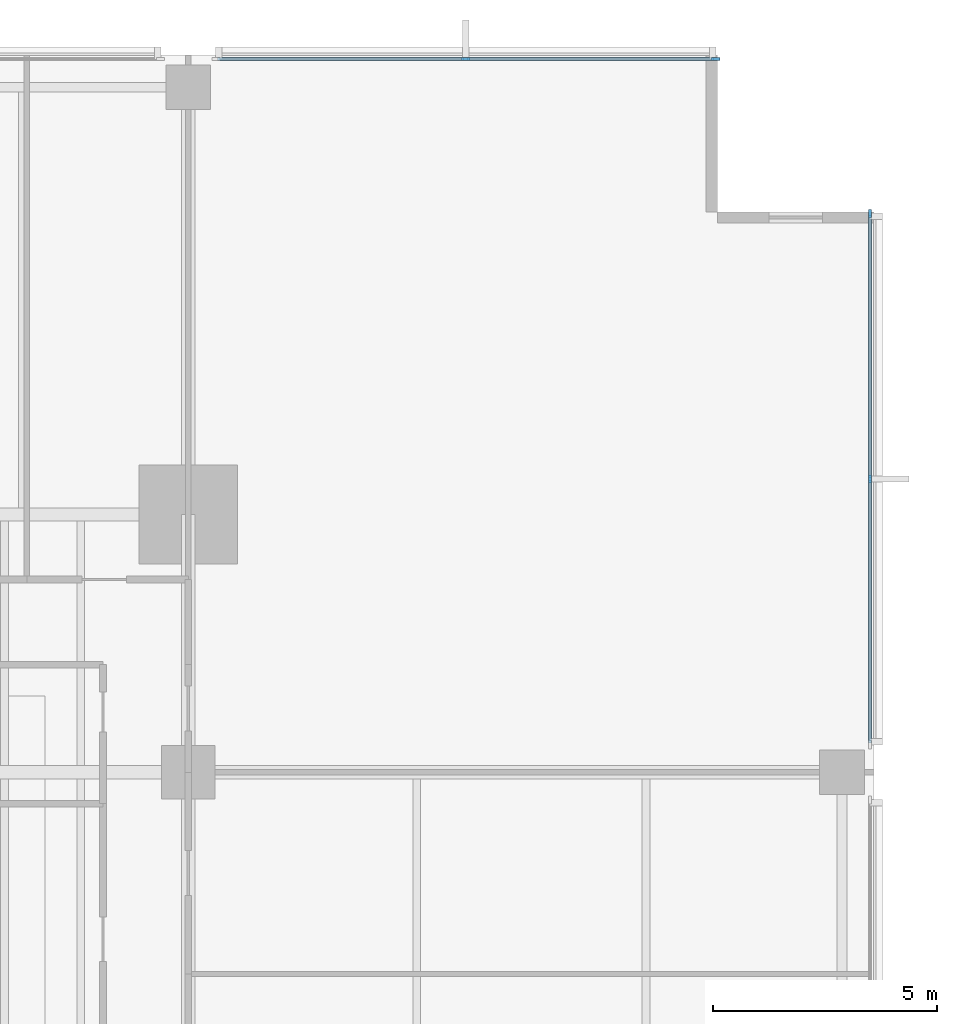
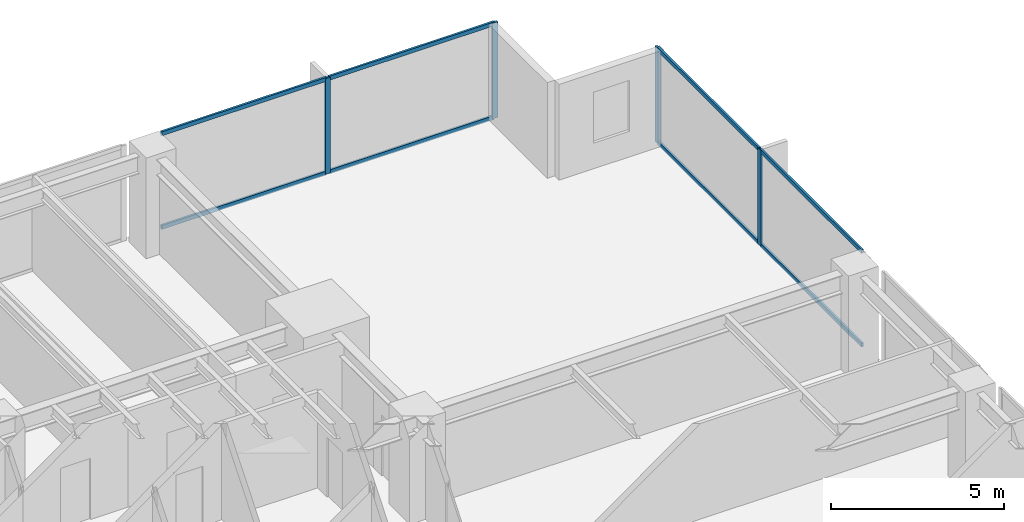
# One storey, part 6 of 15: 12 members, 2 elements without a shape of their own.
"""IFC4 building model written with IfcOpenShell, lengths in metres."""

from ifc_helpers import new_model, si_unit, direction, frame, origin, origin_2d, place, context, subcontext, project, spatial, rectangle, extrude, material, layer, layer_set, material_profile, profile_set, type_object, element, aggregate, save


model = new_model("IFC4")

# Units and contexts
model_context = context("Model", 3, precision=1e-05, world=origin(), true_north=direction((0.0, 1.0)))
body_context = subcontext(model_context, "Body", "Model", "MODEL_VIEW")
ifc_project = project(units=[si_unit("LENGTHUNIT", "METRE"), si_unit("AREAUNIT", "SQUARE_METRE"), si_unit("VOLUMEUNIT", "CUBIC_METRE"), si_unit("PLANEANGLEUNIT", "RADIAN"), si_unit("MASSUNIT", "GRAM", prefix="KILO")], contexts=[model_context])

# Site, building, storey
site_placement = place(None, origin())
site = spatial("IfcSite", under=ifc_project, at=site_placement, CompositionType="ELEMENT")
building_placement = place(site_placement, origin())
building = spatial("IfcBuilding", under=site, at=building_placement, Name="Kinhvarn Gate Tower", CompositionType="ELEMENT")
storey_placement = place(building_placement, frame((0.0, 0.0, 78.85009765625)))
storey = spatial("IfcBuildingStorey", under=building, at=storey_placement, Name="L20", CompositionType="ELEMENT", Elevation=78.85009765625)

# Curtain wall, members
ifc_material = material(Name="Anodised aluminium AW-6063", Category="aluminium")
ifc_layer = layer(ifc_material, 0.179931640625)
ifc_layer_set = layer_set([ifc_layer], Name="Anodised aluminium AW-6063")
curtain_wall_type = type_object("IfcCurtainWallType", Name="CW-SYS-2", PredefinedType="NOTDEFINED", material=ifc_layer_set)
curtain_wall_1_placement = place(storey_placement, origin())
curtain_wall_1 = element("IfcCurtainWall", 1, at=curtain_wall_1_placement, inside=storey, type_object=curtain_wall_type, Name="Curtain Wall CW2 (L20)", PredefinedType="NOTDEFINED")
ifc_material_profile_1 = material_profile(ifc_material, rectangle(XDim=0.070068359375, YDim=0.179931640625, at=origin_2d()), Name="ALU 70x180")
ifc_profile_set_1 = profile_set([ifc_material_profile_1], Name="Anodised aluminium AW-6063")
member_type_1 = type_object("IfcMemberType", Name="CW-MUL-180", PredefinedType="MULLION", material=ifc_profile_set_1)
member_1_placement = place(storey_placement, frame((49.965087890625, 47.909912109375, 0.0), z_axis=(0.0, 0.0, 1.0), x_axis=(0.0, -1.0, 0.0)))
member_1 = element("IfcMember", 2, at=member_1_placement, type_object=member_type_1, Name="CW2 mullion 1", PredefinedType="MULLION", context=body_context, shape_type="SweptSolid", body=[
    extrude(rectangle(XDim=0.070068359375, YDim=0.179931640625, at=origin_2d()), origin(), (0.0, 0.0, 1.0), 3.369873046875),
])
member_2_placement = place(storey_placement, frame((44.389892578125, 47.909912109375, 0.0), z_axis=(0.0, 0.0, 1.0), x_axis=(0.0, -1.0, 0.0)))
member_2 = element("IfcMember", 3, at=member_2_placement, type_object=member_type_1, Name="CW2 mullion 2", PredefinedType="MULLION", context=body_context, shape_type="SweptSolid", body=[
    extrude(rectangle(XDim=0.070068359375, YDim=0.179931640625, at=origin_2d()), origin(), (0.0, 0.0, 1.0), 3.369873046875),
])

curtain_wall_2_placement = place(storey_placement, origin())
curtain_wall_2 = element("IfcCurtainWall", 4, at=curtain_wall_2_placement, inside=storey, type_object=curtain_wall_type, Name="Curtain Wall CW2 (L20)", PredefinedType="NOTDEFINED")
member_3_placement = place(storey_placement, frame((53.409912109375, 38.5400390625, 0.0), z_axis=(0.0, 0.0, 1.0), x_axis=(-1.0, 0.0, 0.0)))
member_3 = element("IfcMember", 5, at=member_3_placement, type_object=member_type_1, Name="CW2 mullion 2", PredefinedType="MULLION", context=body_context, shape_type="SweptSolid", body=[
    extrude(rectangle(XDim=0.070068359375, YDim=0.179931640625, at=origin_2d()), origin(), (0.0, 0.0, 1.0), 3.369873046875),
])
member_4_placement = place(storey_placement, frame((53.409912109375, 44.465087890625, 0.0), z_axis=(0.0, 0.0, 1.0), x_axis=(-1.0, 0.0, 0.0)))
member_4 = element("IfcMember", 6, at=member_4_placement, type_object=member_type_1, Name="CW2 mullion 3", PredefinedType="MULLION", context=body_context, shape_type="SweptSolid", body=[
    extrude(rectangle(XDim=0.070068359375, YDim=0.179931640625, at=origin_2d()), origin(), (0.0, 0.0, 1.0), 3.369873046875),
])

# Member
ifc_material_profile_2 = material_profile(ifc_material, rectangle(XDim=0.070068359375, YDim=0.139892578125, at=origin_2d()), Name="ALU 70x140")
ifc_profile_set_2 = profile_set([ifc_material_profile_2], Name="Anodised aluminium AW-6063")
member_type_2 = type_object("IfcMemberType", Name="CW-TRN-140", PredefinedType="USERDEFINED", material=ifc_profile_set_2)
member_5_placement = place(storey_placement, frame((49.929931640625, 47.909912109375, 0.034912109375), z_axis=(-1.0, 0.0, 0.0), x_axis=(0.0, -1.0, 0.0)))
member_5 = element("IfcMember", 7, at=member_5_placement, type_object=member_type_2, Name="CW2 transom 1.1", ObjectType="TRANSOM", PredefinedType="USERDEFINED", context=body_context, shape_type="SweptSolid", body=[
    extrude(rectangle(XDim=0.070068359375, YDim=0.139892578125, at=origin_2d()), origin(), (0.0, 0.0, 1.0), 5.5048828125),
])

member_6_placement = place(storey_placement, frame((49.929931640625, 47.909912109375, 3.3349609375), z_axis=(-1.0, 0.0, 0.0), x_axis=(0.0, -1.0, 0.0)))
member_6 = element("IfcMember", 8, at=member_6_placement, type_object=member_type_2, Name="CW2 transom 1.2", ObjectType="TRANSOM", PredefinedType="USERDEFINED", context=body_context, shape_type="SweptSolid", body=[
    extrude(rectangle(XDim=0.070068359375, YDim=0.139892578125, at=origin_2d()), origin(), (0.0, 0.0, 1.0), 5.5048828125),
])

member_7_placement = place(storey_placement, frame((44.35498046875, 47.909912109375, 0.034912109375), z_axis=(-1.0, 0.0, 0.0), x_axis=(0.0, -1.0, 0.0)))
member_7 = element("IfcMember", 9, at=member_7_placement, type_object=member_type_2, Name="CW2 transom 2.1", ObjectType="TRANSOM", PredefinedType="USERDEFINED", context=body_context, shape_type="SweptSolid", body=[
    extrude(rectangle(XDim=0.070068359375, YDim=0.139892578125, at=origin_2d()), origin(), (0.0, 0.0, 1.0), 5.5048828125),
])

member_8_placement = place(storey_placement, frame((44.35498046875, 47.909912109375, 3.3349609375), z_axis=(-1.0, 0.0, 0.0), x_axis=(0.0, -1.0, 0.0)))
member_8 = element("IfcMember", 10, at=member_8_placement, type_object=member_type_2, Name="CW2 transom 2.2", ObjectType="TRANSOM", PredefinedType="USERDEFINED", context=body_context, shape_type="SweptSolid", body=[
    extrude(rectangle(XDim=0.070068359375, YDim=0.139892578125, at=origin_2d()), origin(), (0.0, 0.0, 1.0), 5.5048828125),
])

aggregate(curtain_wall_1, [member_1, member_2, member_5, member_6, member_7, member_8])

member_9_placement = place(storey_placement, frame((53.409912109375, 32.64990234375, 0.034912109375), z_axis=(0.0, 1.0, 0.0), x_axis=(-1.0, 0.0, 0.0)))
member_9 = element("IfcMember", 11, at=member_9_placement, type_object=member_type_2, Name="CW2 transom 1.1", ObjectType="TRANSOM", PredefinedType="USERDEFINED", context=body_context, shape_type="SweptSolid", body=[
    extrude(rectangle(XDim=0.070068359375, YDim=0.139892578125, at=origin_2d()), origin(), (0.0, 0.0, 1.0), 5.85498046875),
])

member_10_placement = place(storey_placement, frame((53.409912109375, 32.64990234375, 3.3349609375), z_axis=(0.0, 1.0, 0.0), x_axis=(-1.0, 0.0, 0.0)))
member_10 = element("IfcMember", 12, at=member_10_placement, type_object=member_type_2, Name="CW2 transom 1.2", ObjectType="TRANSOM", PredefinedType="USERDEFINED", context=body_context, shape_type="SweptSolid", body=[
    extrude(rectangle(XDim=0.070068359375, YDim=0.139892578125, at=origin_2d()), origin(), (0.0, 0.0, 1.0), 5.85498046875),
])

member_11_placement = place(storey_placement, frame((53.409912109375, 38.574951171875, 0.034912109375), z_axis=(0.0, 1.0, 0.0), x_axis=(-1.0, 0.0, 0.0)))
member_11 = element("IfcMember", 13, at=member_11_placement, type_object=member_type_2, Name="CW2 transom 2.1", ObjectType="TRANSOM", PredefinedType="USERDEFINED", context=body_context, shape_type="SweptSolid", body=[
    extrude(rectangle(XDim=0.070068359375, YDim=0.139892578125, at=origin_2d()), origin(), (0.0, 0.0, 1.0), 5.85498046875),
])

member_12_placement = place(storey_placement, frame((53.409912109375, 38.574951171875, 3.3349609375), z_axis=(0.0, 1.0, 0.0), x_axis=(-1.0, 0.0, 0.0)))
member_12 = element("IfcMember", 14, at=member_12_placement, type_object=member_type_2, Name="CW2 transom 2.2", ObjectType="TRANSOM", PredefinedType="USERDEFINED", context=body_context, shape_type="SweptSolid", body=[
    extrude(rectangle(XDim=0.070068359375, YDim=0.139892578125, at=origin_2d()), origin(), (0.0, 0.0, 1.0), 5.85498046875),
])

aggregate(curtain_wall_2, [member_3, member_4, member_9, member_10, member_11, member_12])

save(model, "model.ifc")
